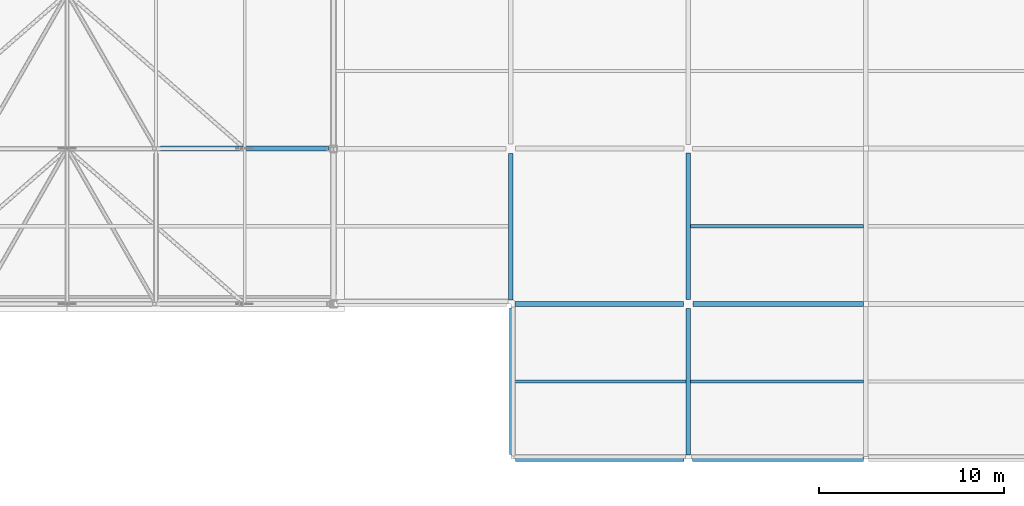
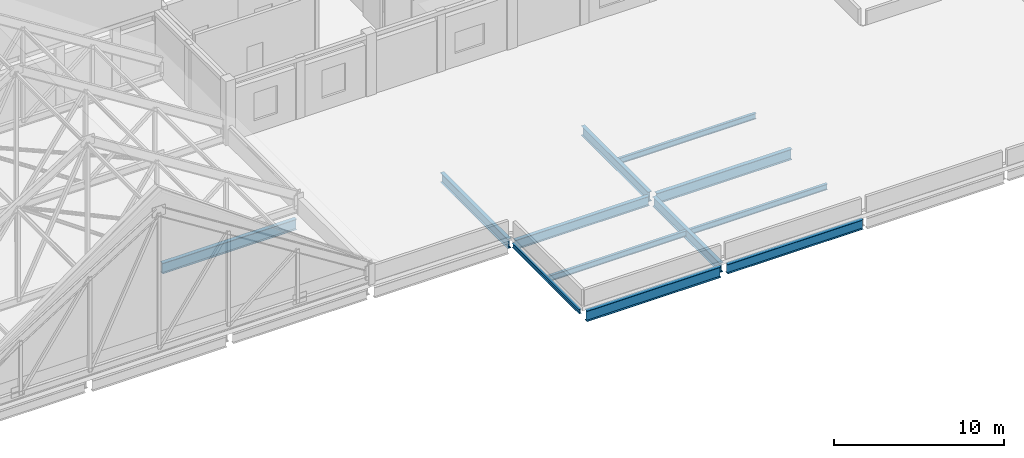
# One storey, part 9 of 26: 12 beams.
"""IFC4 building model written with IfcOpenShell, lengths in metres."""

from ifc_helpers import new_model, si_unit, direction, frame, origin, origin_2d, place, context, subcontext, project, spatial, i_section, extrude, material, material_profile, profile_set, type_object, element, save


model = new_model("IFC4")

# Units and contexts
model_context = context("Model", 3, precision=1e-05, world=origin(), true_north=direction((0.0, 1.0)))
body_context = subcontext(model_context, "Body", "Model", "MODEL_VIEW")
ifc_project = project(units=[si_unit("LENGTHUNIT", "METRE"), si_unit("AREAUNIT", "SQUARE_METRE"), si_unit("VOLUMEUNIT", "CUBIC_METRE"), si_unit("PLANEANGLEUNIT", "RADIAN"), si_unit("MASSUNIT", "GRAM", prefix="KILO")], contexts=[model_context])

# Site, building, storey
site_placement = place(None, origin())
site = spatial("IfcSite", under=ifc_project, at=site_placement, CompositionType="ELEMENT")
building_placement = place(site_placement, origin())
building = spatial("IfcBuilding", under=site, at=building_placement, Name="Lornevale Opera House", CompositionType="ELEMENT")
storey_placement = place(building_placement, frame((0.0, 0.0, 19.800048828125)))
storey = spatial("IfcBuildingStorey", under=building, at=storey_placement, Name="L05", CompositionType="ELEMENT", Elevation=19.800048828125)

# Beams
ifc_material = material(Name="Structural Steel CSA G40.21 Grade 350W (350 MPa)", Category="steel")
ifc_material_profile_1 = material_profile(ifc_material, i_section(OverallWidth=0.179931640625, OverallDepth=0.4130859375, WebThickness=0.009765625, FlangeThickness=0.01611328125, at=origin_2d()), Name="W410x74")
ifc_profile_set_1 = profile_set([ifc_material_profile_1], Name="Structural Steel CSA G40.21 Grade 350W (350 MPa)")
beam_type_1 = type_object("IfcBeamType", Name="Steel Floor Joist W410x74", PredefinedType="JOIST", material=ifc_profile_set_1)
beam_1_placement = place(storey_placement, frame((105.68359375, 29.39990234375, -0.511474609375), z_axis=(1.0, 0.0, 0.0), x_axis=(0.0, 1.0, 0.0)))
element("IfcBeam", 1, at=beam_1_placement, inside=storey, type_object=beam_type_1, Name="Steel Floor Joist W410x74 2812", PredefinedType="JOIST", context=body_context, shape_type="SweptSolid", body=[
    extrude(i_section(OverallWidth=0.179931640625, OverallDepth=0.4130859375, WebThickness=0.009765625, FlangeThickness=0.01611328125, at=origin_2d()), origin(), (0.0, 0.0, 1.0), 9.389404296875),
])
for number, where, z_axis, x_axis, name in (
    (2, (115.326904296875, 29.39990234375, -0.511474609375), (1.0, 0.0, 0.0), (0.0, 1.0, 0.0), "Steel Floor Joist W410x74 2816"),
    (3, (115.326904296875, 37.800048828125, -0.511474609375), (1.0, 0.0, 0.0), (0.0, 1.0, 0.0), "Steel Floor Joist W410x74 2817"),
):
    element("IfcBeam", number, at=place(storey_placement, frame(where, z_axis=z_axis, x_axis=x_axis)), inside=storey, type_object=beam_type_1, Name=name, PredefinedType="JOIST", context=body_context, shape_type="SweptSolid", body=[
        extrude(i_section(OverallWidth=0.179931640625, OverallDepth=0.4130859375, WebThickness=0.009765625, FlangeThickness=0.01611328125, at=origin_2d()), origin(), (0.0, 0.0, 1.0), 9.34619140625),
    ])
ifc_material_profile_2 = material_profile(ifc_material, i_section(OverallWidth=0.25390625, OverallDepth=0.68798828125, WebThickness=0.01318359375, FlangeThickness=0.02099609375, at=origin_2d()), Name="W690x152")
ifc_profile_set_2 = profile_set([ifc_material_profile_2], Name="Structural Steel CSA G40.21 Grade 350W (350 MPa)")
beam_type_2 = type_object("IfcBeamType", Name="Steel Foyer Beam W690x152", PredefinedType="USERDEFINED", material=ifc_profile_set_2)
beam_2_placement = place(storey_placement, frame((115.425048828125, 25.199951171875, -0.649169921875), z_axis=(1.0, 0.0, 0.0), x_axis=(0.0, 1.0, 0.0)))
element("IfcBeam", 4, at=beam_2_placement, inside=storey, type_object=beam_type_2, Name="Steel Foyer Beam W690x152 2713", ObjectType="GIRDER", PredefinedType="USERDEFINED", context=body_context, shape_type="SweptSolid", body=[
    extrude(i_section(OverallWidth=0.25390625, OverallDepth=0.68798828125, WebThickness=0.01318359375, FlangeThickness=0.02099609375, at=origin_2d()), origin(), (0.0, 0.0, 1.0), 9.238525390625),
])
beam_3_placement = place(storey_placement, frame((105.824951171875, 33.60009765625, -0.649169921875), z_axis=(1.0, 0.0, 0.0), x_axis=(0.0, 1.0, 0.0)))
element("IfcBeam", 5, at=beam_3_placement, inside=storey, type_object=beam_type_2, Name="Steel Foyer Beam W690x152 2720", ObjectType="GIRDER", PredefinedType="USERDEFINED", context=body_context, shape_type="SweptSolid", body=[
    extrude(i_section(OverallWidth=0.25390625, OverallDepth=0.68798828125, WebThickness=0.01318359375, FlangeThickness=0.02099609375, at=origin_2d()), origin(), (0.0, 0.0, 1.0), 9.125),
])
for number, where, z_axis, x_axis, name in (
    (6, (105.60009765625, 33.824951171875, -0.649169921875), (0.0, 1.0, 0.0), (-1.0, 0.0, 0.0), "Steel Foyer Beam W690x152 2776"),
    (7, (115.199951171875, 25.425048828125, -0.649169921875), (0.0, 1.0, 0.0), (-1.0, 0.0, 0.0), "Steel Foyer Beam W690x152 2781"),
):
    element("IfcBeam", number, at=place(storey_placement, frame(where, z_axis=z_axis, x_axis=x_axis)), inside=storey, type_object=beam_type_2, Name=name, ObjectType="GIRDER", PredefinedType="USERDEFINED", context=body_context, shape_type="SweptSolid", body=[
        extrude(i_section(OverallWidth=0.25390625, OverallDepth=0.68798828125, WebThickness=0.01318359375, FlangeThickness=0.02099609375, at=origin_2d()), origin(), (0.0, 0.0, 1.0), 7.925048828125),
    ])
beam_4_placement = place(storey_placement, frame((115.199951171875, 33.85009765625, -0.649169921875), z_axis=(0.0, 1.0, 0.0), x_axis=(-1.0, 0.0, 0.0)))
element("IfcBeam", 8, at=beam_4_placement, inside=storey, type_object=beam_type_2, Name="Steel Foyer Beam W690x152 2782", ObjectType="GIRDER", PredefinedType="USERDEFINED", context=body_context, shape_type="SweptSolid", body=[
    extrude(i_section(OverallWidth=0.25390625, OverallDepth=0.68798828125, WebThickness=0.01318359375, FlangeThickness=0.02099609375, at=origin_2d()), origin(), (0.0, 0.0, 1.0), 7.9248046875),
])
ifc_material_profile_3 = material_profile(ifc_material, i_section(OverallWidth=0.1669921875, OverallDepth=0.31689453125, WebThickness=0.007568359375, FlangeThickness=0.01318359375, at=origin_2d()), Name="W310x52")
ifc_profile_set_3 = profile_set([ifc_material_profile_3], Name="Structural Steel CSA G40.21 Grade 350W (350 MPa)")
beam_type_3 = type_object("IfcBeamType", Name="Steel Spandrel Beam W310x52", PredefinedType="SPANDREL", material=ifc_profile_set_3)
beam_5_placement = place(storey_placement, frame((105.60009765625, 25.449951171875, -0.463623046875), z_axis=(0.0, 1.0, 0.0), x_axis=(-1.0, 0.0, 0.0)))
element("IfcBeam", 9, at=beam_5_placement, inside=storey, type_object=beam_type_3, Name="Steel Spandrel Beam W310x52 2775", PredefinedType="SPANDREL", context=body_context, shape_type="SweptSolid", body=[
    extrude(i_section(OverallWidth=0.1669921875, OverallDepth=0.31689453125, WebThickness=0.007568359375, FlangeThickness=0.01318359375, at=origin_2d()), origin(), (0.0, 0.0, 1.0), 7.925048828125),
])
ifc_material_profile_4 = material_profile(ifc_material, i_section(OverallWidth=0.26708984375, OverallDepth=0.76611328125, WebThickness=0.014892578125, FlangeThickness=0.023681640625, at=origin_2d()), Name="W760x185")
ifc_profile_set_4 = profile_set([ifc_material_profile_4], Name="Structural Steel CSA G40.21 Grade 350W (350 MPa)")
beam_type_4 = type_object("IfcBeamType", Name="Steel Workshop Girder W760x185", PredefinedType="USERDEFINED", material=ifc_profile_set_4)
beam_6_placement = place(storey_placement, frame((105.85009765625, 25.199951171875, -0.68798828125), z_axis=(1.0, 0.0, 0.0), x_axis=(0.0, 1.0, 0.0)))
element("IfcBeam", 10, at=beam_6_placement, inside=storey, type_object=beam_type_4, Name="Steel Workshop Girder W760x185 2712", ObjectType="GIRDER", PredefinedType="USERDEFINED", context=body_context, shape_type="SweptSolid", body=[
    extrude(i_section(OverallWidth=0.26708984375, OverallDepth=0.76611328125, WebThickness=0.014892578125, FlangeThickness=0.023681640625, at=origin_2d()), origin(), (0.0, 0.0, 1.0), 9.125),
])
beam_7_placement = place(storey_placement, frame((115.449951171875, 33.60009765625, -0.68798828125), z_axis=(1.0, 0.0, 0.0), x_axis=(0.0, 1.0, 0.0)))
element("IfcBeam", 11, at=beam_7_placement, inside=storey, type_object=beam_type_4, Name="Steel Workshop Girder W760x185 2721", ObjectType="GIRDER", PredefinedType="USERDEFINED", context=body_context, shape_type="SweptSolid", body=[
    extrude(i_section(OverallWidth=0.26708984375, OverallDepth=0.76611328125, WebThickness=0.014892578125, FlangeThickness=0.023681640625, at=origin_2d()), origin(), (0.0, 0.0, 1.0), 9.213623046875),
])
beam_8_placement = place(storey_placement, frame((86.64990234375, 42.0, -0.718017578125), z_axis=(1.0, 0.0, 0.0), x_axis=(0.0, 1.0, 0.0)))
element("IfcBeam", 12, at=beam_8_placement, inside=storey, type_object=beam_type_4, Name="Steel Workshop Girder W760x185 2726", ObjectType="GIRDER", PredefinedType="USERDEFINED", context=body_context, shape_type="SweptSolid", body=[
    extrude(i_section(OverallWidth=0.26708984375, OverallDepth=0.76611328125, WebThickness=0.014892578125, FlangeThickness=0.023681640625, at=origin_2d()), origin(), (0.0, 0.0, 1.0), 9.125),
])

save(model, "model.ifc")
